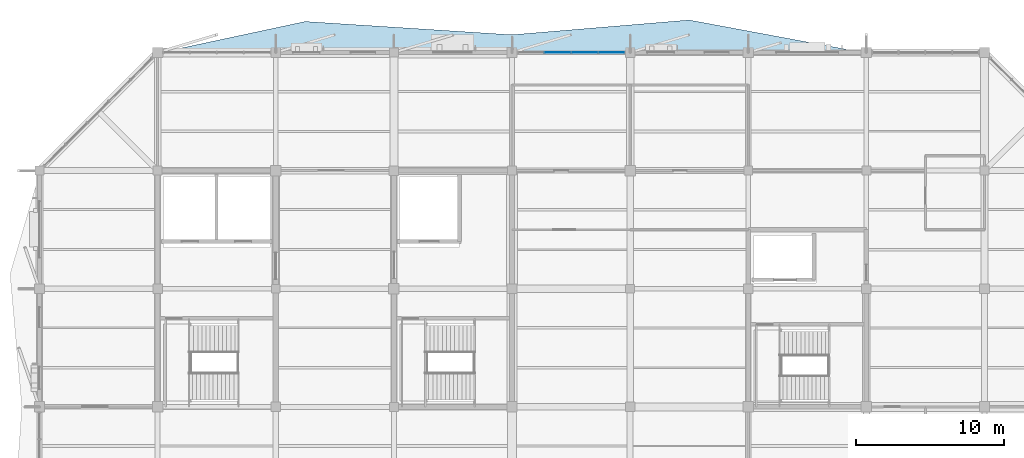
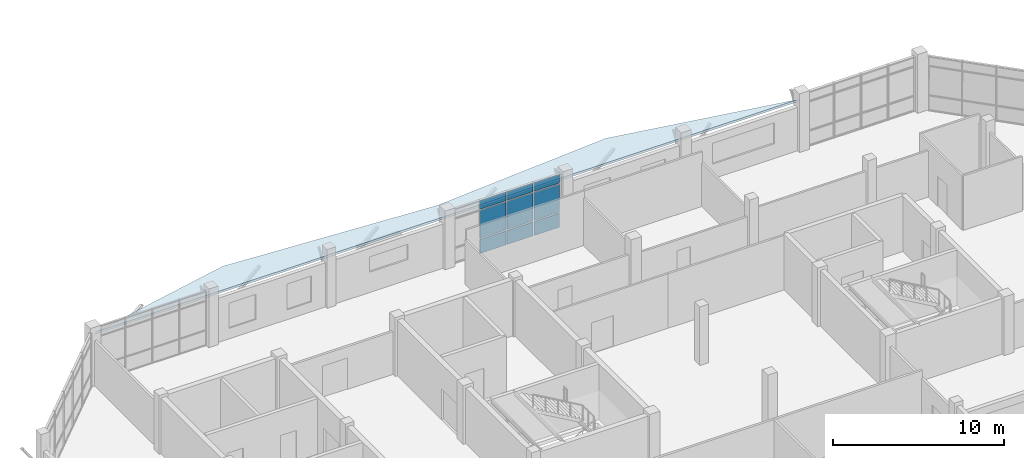
# One storey, part 64 of 84: 9 plates, 1 slab, 1 element without a shape of its own.
"""IFC4 building model written with IfcOpenShell, lengths in metres."""

from ifc_helpers import new_model, si_unit, direction, frame, origin, origin_2d, place, context, subcontext, project, spatial, polyline, rectangle, outline, extrude, material, layer, layer_set, type_object, element, aggregate, save


model = new_model("IFC4")

# Units and contexts
model_context = context("Model", 3, precision=1e-05, world=origin(), true_north=direction((0.0, 1.0)))
body_context = subcontext(model_context, "Body", "Model", "MODEL_VIEW")
ifc_project = project(units=[si_unit("LENGTHUNIT", "METRE"), si_unit("AREAUNIT", "SQUARE_METRE"), si_unit("VOLUMEUNIT", "CUBIC_METRE"), si_unit("PLANEANGLEUNIT", "RADIAN"), si_unit("MASSUNIT", "GRAM", prefix="KILO")], contexts=[model_context])

# Site, building, storey
site_placement = place(None, origin())
site = spatial("IfcSite", under=ifc_project, at=site_placement, CompositionType="ELEMENT")
building_placement = place(site_placement, origin())
building = spatial("IfcBuilding", under=site, at=building_placement, Name="Tenunan Teduh Sports Hall", CompositionType="ELEMENT")
storey_placement = place(building_placement, frame((0.0, 0.0, 10.800048828125)))
storey = spatial("IfcBuildingStorey", under=building, at=storey_placement, Name="L02", CompositionType="ELEMENT", Elevation=10.800048828125)

# Curtain wall, plates
ifc_material_1 = material(Name="Anodised aluminium", Category="aluminium")
curtain_wall_type = type_object("IfcCurtainWallType", Name="CW-UNIT-2", PredefinedType="NOTDEFINED", material=ifc_material_1)
curtain_wall_placement = place(storey_placement, origin())
curtain_wall = element("IfcCurtainWall", 1, at=curtain_wall_placement, inside=storey, type_object=curtain_wall_type, Name="CW-CWM-200-L02-216", PredefinedType="NOTDEFINED")
ifc_material_2 = material(Name="Low-E laminated double glazing", Category="glass")
ifc_layer_1 = layer(ifc_material_2, 0.028076171875)
ifc_layer_set_1 = layer_set([ifc_layer_1], Name="Low-E laminated double glazing")
plate_type_1 = type_object("IfcPlateType", Name="CWP-GLZ-28", PredefinedType="CURTAIN_PANEL", material=ifc_layer_set_1)
plate_1_placement = place(storey_placement, frame((41.096923828125, 118.0, 1.134765625), z_axis=(0.0, 0.0, 1.0), x_axis=(1.0, 0.0, 0.0)))
plate_1 = element("IfcPlate", 2, at=plate_1_placement, type_object=plate_type_1, Name="CW-02 panel 2.2", PredefinedType="CURTAIN_PANEL", context=body_context, shape_type="SweptSolid", body=[
    extrude(rectangle(XDim=1.76123046875, YDim=0.028076171875, at=origin_2d()), origin(), (0.0, 0.0, 1.0), 2.030029296875),
])
plate_2_placement = place(storey_placement, frame((41.096923828125, 118.0, 3.23486328125), z_axis=(0.0, 0.0, 1.0), x_axis=(1.0, 0.0, 0.0)))
plate_2 = element("IfcPlate", 3, at=plate_2_placement, type_object=plate_type_1, Name="CW-02 panel 2.3", PredefinedType="CURTAIN_PANEL", context=body_context, shape_type="SweptSolid", body=[
    extrude(rectangle(XDim=1.76123046875, YDim=0.028076171875, at=origin_2d()), origin(), (0.0, 0.0, 1.0), 0.614990234375),
])
plate_3_placement = place(storey_placement, frame((42.92822265625, 118.0, 1.134765625), z_axis=(0.0, 0.0, 1.0), x_axis=(1.0, 0.0, 0.0)))
plate_3 = element("IfcPlate", 4, at=plate_3_placement, type_object=plate_type_1, Name="CW-02 panel 3.2", PredefinedType="CURTAIN_PANEL", context=body_context, shape_type="SweptSolid", body=[
    extrude(rectangle(XDim=1.76123046875, YDim=0.028076171875, at=origin_2d()), origin(), (0.0, 0.0, 1.0), 2.030029296875),
])
plate_4_placement = place(storey_placement, frame((42.92822265625, 118.0, 3.23486328125), z_axis=(0.0, 0.0, 1.0), x_axis=(1.0, 0.0, 0.0)))
plate_4 = element("IfcPlate", 5, at=plate_4_placement, type_object=plate_type_1, Name="CW-02 panel 3.3", PredefinedType="CURTAIN_PANEL", context=body_context, shape_type="SweptSolid", body=[
    extrude(rectangle(XDim=1.76123046875, YDim=0.028076171875, at=origin_2d()), origin(), (0.0, 0.0, 1.0), 0.614990234375),
])
plate_5_placement = place(storey_placement, frame((44.741943359375, 118.0, 1.134765625), z_axis=(0.0, 0.0, 1.0), x_axis=(1.0, 0.0, 0.0)))
plate_5 = element("IfcPlate", 6, at=plate_5_placement, type_object=plate_type_1, Name="CW-02 panel 4.2", PredefinedType="CURTAIN_PANEL", context=body_context, shape_type="SweptSolid", body=[
    extrude(rectangle(XDim=1.726318359375, YDim=0.028076171875, at=origin_2d()), origin(), (0.0, 0.0, 1.0), 2.030029296875),
])
plate_6_placement = place(storey_placement, frame((44.741943359375, 118.0, 3.23486328125), z_axis=(0.0, 0.0, 1.0), x_axis=(1.0, 0.0, 0.0)))
plate_6 = element("IfcPlate", 7, at=plate_6_placement, type_object=plate_type_1, Name="CW-02 panel 4.3", PredefinedType="CURTAIN_PANEL", context=body_context, shape_type="SweptSolid", body=[
    extrude(rectangle(XDim=1.726318359375, YDim=0.028076171875, at=origin_2d()), origin(), (0.0, 0.0, 1.0), 0.614990234375),
])
ifc_material_3 = material(Name="Insulated aluminium spandrel panel", Category="aluminium")
ifc_layer_2 = layer(ifc_material_3, 0.044921875)
ifc_layer_set_2 = layer_set([ifc_layer_2], Name="Insulated aluminium spandrel panel")
plate_type_2 = type_object("IfcPlateType", Name="CWP-SPN-45", PredefinedType="CURTAIN_PANEL", material=ifc_layer_set_2)
plate_7_placement = place(storey_placement, frame((41.096923828125, 118.0, 0.06982421875), z_axis=(0.0, 0.0, 1.0), x_axis=(1.0, 0.0, 0.0)))
plate_7 = element("IfcPlate", 8, at=plate_7_placement, type_object=plate_type_2, Name="CW-02 panel 2.1", PredefinedType="CURTAIN_PANEL", context=body_context, shape_type="SweptSolid", body=[
    extrude(rectangle(XDim=1.76123046875, YDim=0.028076171875, at=origin_2d()), origin(), (0.0, 0.0, 1.0), 0.9951171875),
])
plate_8_placement = place(storey_placement, frame((42.92822265625, 118.0, 0.06982421875), z_axis=(0.0, 0.0, 1.0), x_axis=(1.0, 0.0, 0.0)))
plate_8 = element("IfcPlate", 9, at=plate_8_placement, type_object=plate_type_2, Name="CW-02 panel 3.1", PredefinedType="CURTAIN_PANEL", context=body_context, shape_type="SweptSolid", body=[
    extrude(rectangle(XDim=1.76123046875, YDim=0.028076171875, at=origin_2d()), origin(), (0.0, 0.0, 1.0), 0.9951171875),
])
plate_9_placement = place(storey_placement, frame((44.741943359375, 118.0, 0.06982421875), z_axis=(0.0, 0.0, 1.0), x_axis=(1.0, 0.0, 0.0)))
plate_9 = element("IfcPlate", 10, at=plate_9_placement, type_object=plate_type_2, Name="CW-02 panel 4.1", PredefinedType="CURTAIN_PANEL", context=body_context, shape_type="SweptSolid", body=[
    extrude(rectangle(XDim=1.726318359375, YDim=0.028076171875, at=origin_2d()), origin(), (0.0, 0.0, 1.0), 0.9951171875),
])
aggregate(curtain_wall, [plate_7, plate_1, plate_2, plate_8, plate_3, plate_4, plate_9, plate_5, plate_6])

# Slab
ifc_material_4 = material(Name="Concrete C40/50", Category="concrete")
ifc_layer_3 = layer(ifc_material_4, 0.159912109375)
ifc_layer_set_3 = layer_set([ifc_layer_3], Name="Concrete C40/50")
slab_type = type_object("IfcSlabType", Name="SLB-ROOF-160", PredefinedType="ROOF", material=ifc_layer_set_3)
slab_placement = place(storey_placement, frame((0.0, 0.0, 3.389892578125)))
element("IfcSlab", 11, at=slab_placement, inside=storey, type_object=slab_type, Name="Window Head Sun-Shade Hood SHD-RIB-V5W-N-L02", PredefinedType="ROOF", context=body_context, shape_type="SweptSolid", body=[
    extrude(outline(polyline([(14.199951171875, 118.0), (24.0, 120.10009765625), (38.0, 119.199951171875), (50.0, 120.199951171875), (61.800048828125, 118.0), (14.199951171875, 118.0)])), origin(), (0.0, 0.0, 1.0), 0.16015625),
])

save(model, "model.ifc")
